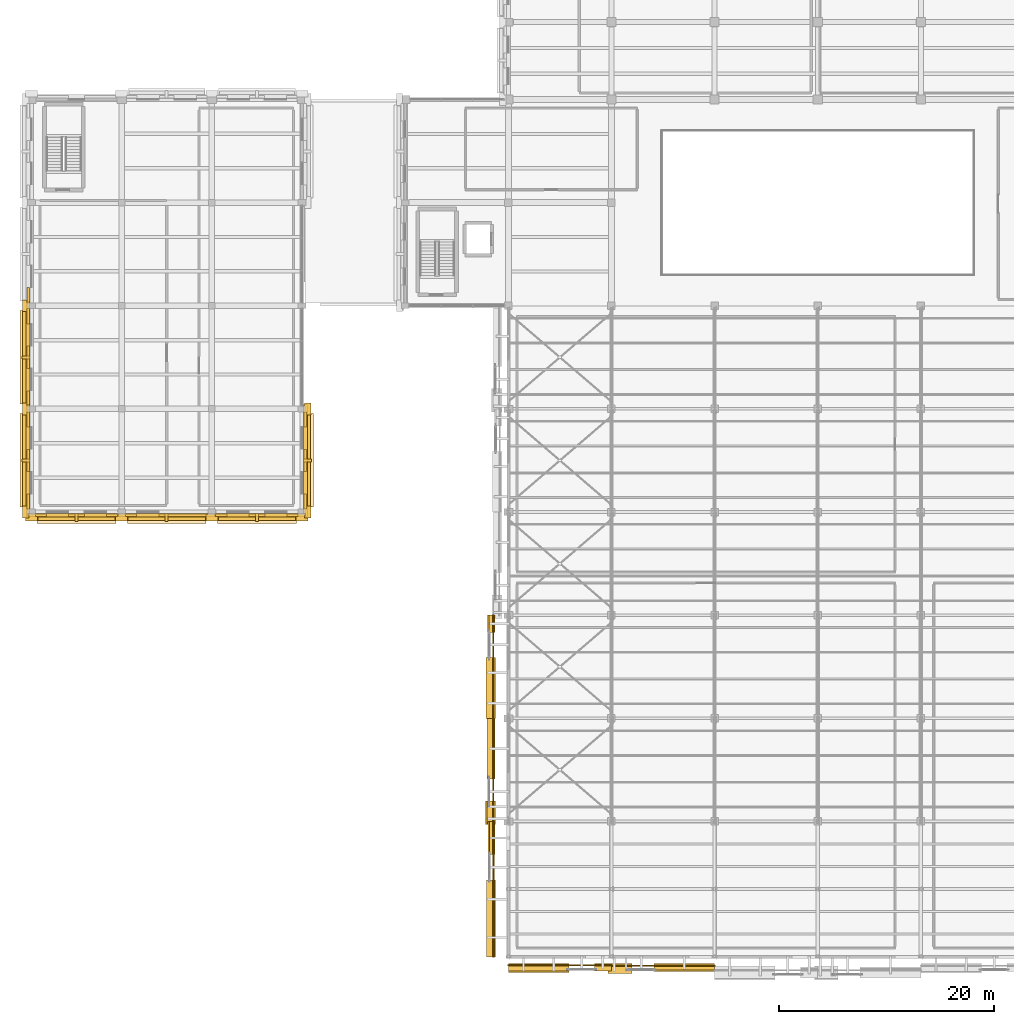
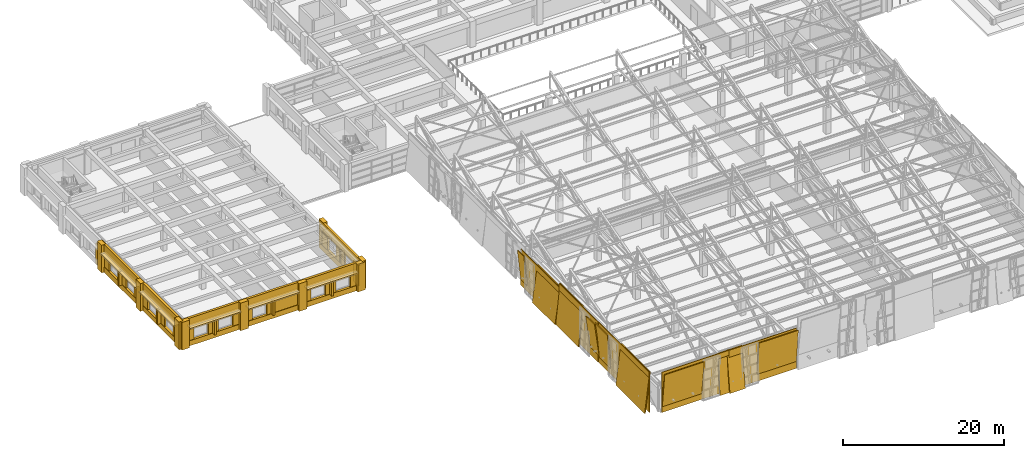
# One storey, part 64 of 71: 66 coverings, 6 shading devices.
"""IFC4 building model written with IfcOpenShell, lengths in metres."""

from ifc_helpers import new_model, si_unit, direction, frame, origin, origin_2d, place, context, subcontext, project, spatial, rectangle, extrude, material, layer, layer_set, type_object, element, save


model = new_model("IFC4")

# Units and contexts
model_context = context("Model", 3, precision=1e-05, world=origin(), true_north=direction((0.0, 1.0)))
body_context = subcontext(model_context, "Body", "Model", "MODEL_VIEW")
ifc_project = project(units=[si_unit("LENGTHUNIT", "METRE"), si_unit("AREAUNIT", "SQUARE_METRE"), si_unit("VOLUMEUNIT", "CUBIC_METRE"), si_unit("PLANEANGLEUNIT", "RADIAN"), si_unit("MASSUNIT", "GRAM", prefix="KILO")], contexts=[model_context])

# Site, building, storey
site_placement = place(None, origin())
site = spatial("IfcSite", under=ifc_project, at=site_placement, CompositionType="ELEMENT")
building_placement = place(site_placement, origin())
building = spatial("IfcBuilding", under=site, at=building_placement, Name="Bempovik Park Faculty of Sciences", CompositionType="ELEMENT")
storey_placement = place(building_placement, frame((0.0, 0.0, 14.10009765625)))
storey = spatial("IfcBuildingStorey", under=building, at=storey_placement, Name="L03", CompositionType="ELEMENT", Elevation=14.10009765625)

# Coverings
ifc_material_1 = material(Name="White reconstituted limestone precast C40/50", Category="masonry")
ifc_layer_1 = layer(ifc_material_1, 0.1201171875)
ifc_layer_set_1 = layer_set([ifc_layer_1], Name="White reconstituted limestone precast C40/50")
covering_type_1 = type_object("IfcCoveringType", Name="CL-01 Crystal Limestone Facet 120mm", PredefinedType="CLADDING", material=ifc_layer_set_1)
covering_1_placement = place(storey_placement, frame((64.800048828125, 6.3994140625, -0.0400390625), z_axis=(0.0, 0.0, 1.0), x_axis=(1.0, 0.0, 0.0)))
element("IfcCovering", 1, at=covering_1_placement, inside=storey, type_object=covering_type_1, Name="L03 White Crystal Seam Backing 72-600", PredefinedType="CLADDING", context=body_context, shape_type="SweptSolid", body=[
    extrude(rectangle(XDim=9.679931640625, YDim=0.10009765625, at=origin_2d()), origin(), (0.0, 0.0, 1.0), 6.090087890625),
])
covering_2_placement = place(storey_placement, frame((62.822509765625, 6.52001953125, -0.018798828125), z_axis=(0.0, -0.118403968307, 0.992965508107), x_axis=(1.0, 0.0, 0.0)))
element("IfcCovering", 2, at=covering_2_placement, inside=storey, type_object=covering_type_1, Name="L03 Tilted Crystal Limestone Facet FAC-CRYS-L03-72-600", PredefinedType="CLADDING", context=body_context, shape_type="SweptSolid", body=[
    extrude(rectangle(XDim=5.64501953125, YDim=0.139892578125, at=origin_2d()), origin(), (0.0, 0.0, 1.0), 6.090087890625),
])
covering_3_placement = place(storey_placement, frame((68.802490234375, 5.94873046875, -0.028076171875), z_axis=(0.0, 0.088894296866, 0.996041065411), x_axis=(1.0, 0.0, 0.0)))
element("IfcCovering", 3, at=covering_3_placement, inside=storey, type_object=covering_type_1, Name="L03 Counter-Tilted Crystal Facet FAC-CRYS-L03-72-600-R", PredefinedType="CLADDING", context=body_context, shape_type="SweptSolid", body=[
    extrude(rectangle(XDim=1.594970703125, YDim=0.139892578125, at=origin_2d()), origin(), (0.0, 0.0, 1.0), 6.090087890625),
])
covering_4_placement = place(storey_placement, frame((74.39990234375, 6.357421875, -0.0400390625), z_axis=(0.0, 0.0, 1.0), x_axis=(1.0, 0.0, 0.0)))
element("IfcCovering", 4, at=covering_4_placement, inside=storey, type_object=covering_type_1, Name="L03 White Crystal Seam Backing 72-696", PredefinedType="CLADDING", context=body_context, shape_type="SweptSolid", body=[
    extrude(rectangle(XDim=9.679931640625, YDim=0.10009765625, at=origin_2d()), origin(), (0.0, 0.0, 1.0), 6.090087890625),
])
covering_5_placement = place(storey_placement, frame((70.3974609375, 5.71435546875, -0.013427734375), z_axis=(0.0, 0.132256390257, 0.991215540252), x_axis=(1.0, 0.0, 0.0)))
element("IfcCovering", 5, at=covering_5_placement, inside=storey, type_object=covering_type_1, Name="L03 Tilted Crystal Limestone Facet FAC-CRYS-L03-72-696", PredefinedType="CLADDING", context=body_context, shape_type="SweptSolid", body=[
    extrude(rectangle(XDim=2.199951171875, YDim=0.139892578125, at=origin_2d()), origin(), (0.0, 0.0, 1.0), 6.090087890625),
])
covering_6_placement = place(storey_placement, frame((76.37744140625, 6.479736328125, -0.025146484375), z_axis=(0.0, -0.099319749744, 0.995055569961), x_axis=(1.0, 0.0, 0.0)))
element("IfcCovering", 6, at=covering_6_placement, inside=storey, type_object=covering_type_1, Name="L03 Counter-Tilted Crystal Facet FAC-CRYS-L03-72-696-R", PredefinedType="CLADDING", context=body_context, shape_type="SweptSolid", body=[
    extrude(rectangle(XDim=5.64501953125, YDim=0.139892578125, at=origin_2d()), origin(), (0.0, 0.0, 1.0), 6.090087890625),
])
covering_7_placement = place(storey_placement, frame((58.619384765625, 13.5, -0.0400390625), z_axis=(0.0, 0.0, 1.0), x_axis=(1.0, 0.0, 0.0)))
element("IfcCovering", 7, at=covering_7_placement, inside=storey, type_object=covering_type_1, Name="L03 White Crystal Seam Backing 600-72", PredefinedType="CLADDING", context=body_context, shape_type="SweptSolid", body=[
    extrude(rectangle(XDim=0.10009765625, YDim=12.679931640625, at=origin_2d()), origin(), (0.0, 0.0, 1.0), 6.090087890625),
])
covering_8_placement = place(storey_placement, frame((58.018798828125, 10.7724609375, -0.018798828125), z_axis=(0.118403968307, 0.0, 0.992965508107), x_axis=(0.0, 1.0, 0.0)))
element("IfcCovering", 8, at=covering_8_placement, inside=storey, type_object=covering_type_1, Name="L03 Tilted Crystal Limestone Facet FAC-CRYS-L03-600-72", PredefinedType="CLADDING", context=body_context, shape_type="SweptSolid", body=[
    extrude(rectangle(XDim=7.14501953125, YDim=0.139892578125, at=origin_2d()), origin(), (0.0, 0.0, 1.0), 6.090087890625),
])
covering_9_placement = place(storey_placement, frame((58.710205078125, 18.25244140625, -0.028076171875), z_axis=(-0.088894296866, 0.0, 0.996041065411), x_axis=(0.0, 1.0, 0.0)))
element("IfcCovering", 9, at=covering_9_placement, inside=storey, type_object=covering_type_1, Name="L03 Counter-Tilted Crystal Facet FAC-CRYS-L03-600-72-R", PredefinedType="CLADDING", context=body_context, shape_type="SweptSolid", body=[
    extrude(rectangle(XDim=3.094970703125, YDim=0.139892578125, at=origin_2d()), origin(), (0.0, 0.0, 1.0), 6.090087890625),
])
covering_10_placement = place(storey_placement, frame((58.577392578125, 24.60009765625, -0.0400390625), z_axis=(0.0, 0.0, 1.0), x_axis=(1.0, 0.0, 0.0)))
element("IfcCovering", 10, at=covering_10_placement, inside=storey, type_object=covering_type_1, Name="L03 White Crystal Seam Backing 600-198", PredefinedType="CLADDING", context=body_context, shape_type="SweptSolid", body=[
    extrude(rectangle(XDim=0.10009765625, YDim=9.679931640625, at=origin_2d()), origin(), (0.0, 0.0, 1.0), 6.090087890625),
])
covering_11_placement = place(storey_placement, frame((58.740234375, 20.597412109375, -0.013427734375), z_axis=(-0.132256390257, 0.0, 0.991215540252), x_axis=(0.0, 1.0, 0.0)))
element("IfcCovering", 11, at=covering_11_placement, inside=storey, type_object=covering_type_1, Name="L03 Tilted Crystal Limestone Facet FAC-CRYS-L03-600-198", PredefinedType="CLADDING", context=body_context, shape_type="SweptSolid", body=[
    extrude(rectangle(XDim=2.199951171875, YDim=0.139892578125, at=origin_2d()), origin(), (0.0, 0.0, 1.0), 6.090087890625),
])
covering_12_placement = place(storey_placement, frame((58.0947265625, 26.577392578125, -0.025146484375), z_axis=(0.099319749744, 0.0, 0.995055569961), x_axis=(0.0, 1.0, 0.0)))
element("IfcCovering", 12, at=covering_12_placement, inside=storey, type_object=covering_type_1, Name="L03 Counter-Tilted Crystal Facet FAC-CRYS-L03-600-198-R", PredefinedType="CLADDING", context=body_context, shape_type="SweptSolid", body=[
    extrude(rectangle(XDim=5.64501953125, YDim=0.139892578125, at=origin_2d()), origin(), (0.0, 0.0, 1.0), 6.090087890625),
])
covering_13_placement = place(storey_placement, frame((58.597900390625, 34.199951171875, -0.0400390625), z_axis=(0.0, 0.0, 1.0), x_axis=(1.0, 0.0, 0.0)))
element("IfcCovering", 13, at=covering_13_placement, inside=storey, type_object=covering_type_1, Name="L03 White Crystal Seam Backing 600-294", PredefinedType="CLADDING", context=body_context, shape_type="SweptSolid", body=[
    extrude(rectangle(XDim=0.10009765625, YDim=9.679931640625, at=origin_2d()), origin(), (0.0, 0.0, 1.0), 5.489990234375),
])
covering_14_placement = place(storey_placement, frame((57.975830078125, 32.222412109375, -0.013427734375), z_axis=(0.13917310096, 0.0, 0.990268068742), x_axis=(0.0, 1.0, 0.0)))
element("IfcCovering", 14, at=covering_14_placement, inside=storey, type_object=covering_type_1, Name="L03 Tilted Crystal Limestone Facet FAC-CRYS-L03-600-294", PredefinedType="CLADDING", context=body_context, shape_type="SweptSolid", body=[
    extrude(rectangle(XDim=5.64501953125, YDim=0.139892578125, at=origin_2d()), origin(), (0.0, 0.0, 1.0), 5.489990234375),
])
covering_15_placement = place(storey_placement, frame((58.704833984375, 38.202392578125, -0.025146484375), z_axis=(-0.104528463268, 0.0, 0.994521895368), x_axis=(0.0, 1.0, 0.0)))
element("IfcCovering", 15, at=covering_15_placement, inside=storey, type_object=covering_type_1, Name="L03 Counter-Tilted Crystal Facet FAC-CRYS-L03-600-294-R", PredefinedType="CLADDING", context=body_context, shape_type="SweptSolid", body=[
    extrude(rectangle(XDim=1.594970703125, YDim=0.139892578125, at=origin_2d()), origin(), (0.0, 0.0, 1.0), 5.489990234375),
])
ifc_material_2 = material(Name="Precast concrete C40/50", Category="concrete")
ifc_layer_2 = layer(ifc_material_2, 0.179931640625)
ifc_layer_set_2 = layer_set([ifc_layer_2], Name="Precast concrete C40/50")
covering_type_2 = type_object("IfcCoveringType", Name="CL-02 Classical Cornice Band 180mm", PredefinedType="CLADDING", material=ifc_layer_set_2)
covering_16_placement = place(storey_placement, frame((41.39990234375, 53.39990234375, 2.85986328125), z_axis=(0.0, 0.0, 1.0), x_axis=(1.0, 0.0, 0.0)))
element("IfcCovering", 16, at=covering_16_placement, inside=storey, type_object=covering_type_2, Name="L03 Classical Stone Solar Window Hood EW-L03-9157", PredefinedType="CLADDING", context=body_context, shape_type="SweptSolid", body=[
    extrude(rectangle(XDim=0.919921875, YDim=8.7060546875, at=origin_2d()), origin(), (0.0, 0.0, 1.0), 0.219970703125),
])
for number, where, z_axis, x_axis, name in (
    (17, (19.800048828125, 48.0, 2.85986328125), (0.0, 0.0, 1.0), (1.0, 0.0, 0.0), "L03 Classical Stone Solar Window Hood EW-L03-9219"),
    (18, (28.199951171875, 48.0, 2.85986328125), (0.0, 0.0, 1.0), (1.0, 0.0, 0.0), "L03 Classical Stone Solar Window Hood EW-L03-9232"),
    (19, (36.60009765625, 48.0, 2.85986328125), (0.0, 0.0, 1.0), (1.0, 0.0, 0.0), "L03 Classical Stone Solar Window Hood EW-L03-9242"),
):
    element("IfcCovering", number, at=place(storey_placement, frame(where, z_axis=z_axis, x_axis=x_axis)), inside=storey, type_object=covering_type_2, Name=name, PredefinedType="CLADDING", context=body_context, shape_type="SweptSolid", body=[
        extrude(rectangle(XDim=7.325927734375, YDim=0.919921875, at=origin_2d()), origin(), (0.0, 0.0, 1.0), 0.219970703125),
    ])
for number, where, z_axis, x_axis, name in (
    (20, (15.0, 53.39990234375, 2.85986328125), (0.0, 0.0, 1.0), (1.0, 0.0, 0.0), "L03 Classical Stone Solar Window Hood EW-L03-9254"),
    (21, (15.0, 63.0, 2.85986328125), (0.0, 0.0, 1.0), (1.0, 0.0, 0.0), "L03 Classical Stone Solar Window Hood EW-L03-9267"),
):
    element("IfcCovering", number, at=place(storey_placement, frame(where, z_axis=z_axis, x_axis=x_axis)), inside=storey, type_object=covering_type_2, Name=name, PredefinedType="CLADDING", context=body_context, shape_type="SweptSolid", body=[
        extrude(rectangle(XDim=0.919921875, YDim=8.7060546875, at=origin_2d()), origin(), (0.0, 0.0, 1.0), 0.219970703125),
    ])
ifc_layer_3 = layer(ifc_material_1, 0.239990234375)
ifc_layer_set_3 = layer_set([ifc_layer_3], Name="White reconstituted limestone precast C40/50")
covering_type_3 = type_object("IfcCoveringType", Name="CL-03 Classical Fluted Limestone Pilaster 240mm", PredefinedType="CLADDING", material=ifc_layer_set_3)
covering_17_placement = place(storey_placement, frame((41.110107421875, 53.39990234375, 2.919921875), z_axis=(0.0, 0.0, 1.0), x_axis=(1.0, 0.0, 0.0)))
element("IfcCovering", 22, at=covering_17_placement, inside=storey, type_object=covering_type_3, Name="L03 Classical Limestone Spandrel Entablature EW-L03-9157", PredefinedType="CLADDING", context=body_context, shape_type="SweptSolid", body=[
    extrude(rectangle(XDim=0.340087890625, YDim=10.406005859375, at=origin_2d()), origin(), (0.0, 0.0, 1.0), 1.280029296875),
])
covering_18_placement = place(storey_placement, frame((41.110107421875, 53.39990234375, 0.0), z_axis=(0.0, 0.0, 1.0), x_axis=(1.0, 0.0, 0.0)))
element("IfcCovering", 23, at=covering_18_placement, inside=storey, type_object=covering_type_3, Name="L03 Classical Limestone Sill Dado EW-L03-9157", PredefinedType="CLADDING", context=body_context, shape_type="SweptSolid", body=[
    extrude(rectangle(XDim=0.340087890625, YDim=10.406005859375, at=origin_2d()), origin(), (0.0, 0.0, 1.0), 0.780029296875),
])
for number, where, z_axis, x_axis, name in (
    (24, (41.330078125, 48.60009765625, 0.0), (0.0, 0.0, 1.0), (1.0, 0.0, 0.0), "L03 Classical Fluted Stone Pilaster PIL-BA-L03-413-486"),
    (25, (41.330078125, 58.199951171875, 0.0), (0.0, 0.0, 1.0), (1.0, 0.0, 0.0), "L03 Classical Fluted Stone Pilaster PIL-BA-L03-413-582"),
):
    element("IfcCovering", number, at=place(storey_placement, frame(where, z_axis=z_axis, x_axis=x_axis)), inside=storey, type_object=covering_type_3, Name=name, PredefinedType="CLADDING", context=body_context, shape_type="SweptSolid", body=[
        extrude(rectangle(XDim=0.580078125, YDim=1.10009765625, at=origin_2d()), origin(), (0.0, 0.0, 1.0), 4.199951171875),
    ])
covering_19_placement = place(storey_placement, frame((41.10009765625, 49.57470703125, -0.000244140625), z_axis=(0.0, 0.0, 1.0), x_axis=(1.0, 0.0, 0.0)))
element("IfcCovering", 26, at=covering_19_placement, inside=storey, type_object=covering_type_3, Name="L03 White Limestone Wall Cheek EW-L03-9157-0", PredefinedType="CLADDING", context=body_context, shape_type="SweptSolid", body=[
    extrude(rectangle(XDim=0.239990234375, YDim=1.405029296875, at=origin_2d()), origin(), (0.0, 0.0, 1.0), 3.080078125),
])
covering_20_placement = place(storey_placement, frame((41.10009765625, 53.39990234375, -0.000244140625), z_axis=(0.0, 0.0, 1.0), x_axis=(1.0, 0.0, 0.0)))
element("IfcCovering", 27, at=covering_20_placement, inside=storey, type_object=covering_type_3, Name="L03 White Limestone Wall Cheek EW-L03-9157-2", PredefinedType="CLADDING", context=body_context, shape_type="SweptSolid", body=[
    extrude(rectangle(XDim=0.239990234375, YDim=2.085693359375, at=origin_2d()), origin(), (0.0, 0.0, 1.0), 3.080078125),
])
covering_21_placement = place(storey_placement, frame((41.10009765625, 57.225341796875, -0.000244140625), z_axis=(0.0, 0.0, 1.0), x_axis=(1.0, 0.0, 0.0)))
element("IfcCovering", 28, at=covering_21_placement, inside=storey, type_object=covering_type_3, Name="L03 White Limestone Wall Cheek EW-L03-9157-4", PredefinedType="CLADDING", context=body_context, shape_type="SweptSolid", body=[
    extrude(rectangle(XDim=0.239990234375, YDim=1.405029296875, at=origin_2d()), origin(), (0.0, 0.0, 1.0), 3.080078125),
])
covering_22_placement = place(storey_placement, frame((41.31005859375, 53.39990234375, 0.69970703125), z_axis=(0.0, 0.0, 1.0), x_axis=(1.0, 0.0, 0.0)))
element("IfcCovering", 29, at=covering_22_placement, inside=storey, type_object=covering_type_3, Name="L03 Classical Vertical Stone Shading Fin EW-L03-9157", PredefinedType="CLADDING", context=body_context, shape_type="SweptSolid", body=[
    extrude(rectangle(XDim=0.719970703125, YDim=0.280029296875, at=origin_2d()), origin(), (0.0, 0.0, 1.0), 2.199951171875),
])
covering_23_placement = place(storey_placement, frame((19.800048828125, 48.2900390625, 2.919921875), z_axis=(0.0, 0.0, 1.0), x_axis=(1.0, 0.0, 0.0)))
element("IfcCovering", 30, at=covering_23_placement, inside=storey, type_object=covering_type_3, Name="L03 Classical Limestone Spandrel Entablature EW-L03-9219", PredefinedType="CLADDING", context=body_context, shape_type="SweptSolid", body=[
    extrude(rectangle(XDim=9.02587890625, YDim=0.340087890625, at=origin_2d()), origin(), (0.0, 0.0, 1.0), 1.280029296875),
])
covering_24_placement = place(storey_placement, frame((19.800048828125, 48.2900390625, 0.0), z_axis=(0.0, 0.0, 1.0), x_axis=(1.0, 0.0, 0.0)))
element("IfcCovering", 31, at=covering_24_placement, inside=storey, type_object=covering_type_3, Name="L03 Classical Limestone Sill Dado EW-L03-9219", PredefinedType="CLADDING", context=body_context, shape_type="SweptSolid", body=[
    extrude(rectangle(XDim=9.02587890625, YDim=0.340087890625, at=origin_2d()), origin(), (0.0, 0.0, 1.0), 0.780029296875),
])
for number, where, z_axis, x_axis, name in (
    (32, (15.60009765625, 48.070068359375, 0.0), (0.0, 0.0, 1.0), (1.0, 0.0, 0.0), "L03 Classical Fluted Stone Pilaster PIL-BA-L03-156-481"),
    (33, (24.0, 48.070068359375, 0.0), (0.0, 0.0, 1.0), (1.0, 0.0, 0.0), "L03 Classical Fluted Stone Pilaster PIL-BA-L03-240-481"),
):
    element("IfcCovering", number, at=place(storey_placement, frame(where, z_axis=z_axis, x_axis=x_axis)), inside=storey, type_object=covering_type_3, Name=name, PredefinedType="CLADDING", context=body_context, shape_type="SweptSolid", body=[
        extrude(rectangle(XDim=1.10009765625, YDim=0.580078125, at=origin_2d()), origin(), (0.0, 0.0, 1.0), 4.199951171875),
    ])
covering_25_placement = place(storey_placement, frame((16.478271484375, 48.300048828125, -0.000244140625), z_axis=(0.0, 0.0, 1.0), x_axis=(1.0, 0.0, 0.0)))
element("IfcCovering", 34, at=covering_25_placement, inside=storey, type_object=covering_type_3, Name="L03 White Limestone Wall Cheek EW-L03-9219-0", PredefinedType="CLADDING", context=body_context, shape_type="SweptSolid", body=[
    extrude(rectangle(XDim=1.032470703125, YDim=0.239990234375, at=origin_2d()), origin(), (0.0, 0.0, 1.0), 3.080078125),
])
covering_26_placement = place(storey_placement, frame((19.800048828125, 48.300048828125, -0.000244140625), z_axis=(0.0, 0.0, 1.0), x_axis=(1.0, 0.0, 0.0)))
element("IfcCovering", 35, at=covering_26_placement, inside=storey, type_object=covering_type_3, Name="L03 White Limestone Wall Cheek EW-L03-9219-2", PredefinedType="CLADDING", context=body_context, shape_type="SweptSolid", body=[
    extrude(rectangle(XDim=1.450927734375, YDim=0.239990234375, at=origin_2d()), origin(), (0.0, 0.0, 1.0), 3.080078125),
])
covering_27_placement = place(storey_placement, frame((23.12158203125, 48.300048828125, -0.000244140625), z_axis=(0.0, 0.0, 1.0), x_axis=(1.0, 0.0, 0.0)))
element("IfcCovering", 36, at=covering_27_placement, inside=storey, type_object=covering_type_3, Name="L03 White Limestone Wall Cheek EW-L03-9219-4", PredefinedType="CLADDING", context=body_context, shape_type="SweptSolid", body=[
    extrude(rectangle(XDim=1.032470703125, YDim=0.239990234375, at=origin_2d()), origin(), (0.0, 0.0, 1.0), 3.080078125),
])
covering_28_placement = place(storey_placement, frame((19.800048828125, 48.090087890625, 0.69970703125), z_axis=(0.0, 0.0, 1.0), x_axis=(1.0, 0.0, 0.0)))
element("IfcCovering", 37, at=covering_28_placement, inside=storey, type_object=covering_type_3, Name="L03 Classical Vertical Stone Shading Fin EW-L03-9219", PredefinedType="CLADDING", context=body_context, shape_type="SweptSolid", body=[
    extrude(rectangle(XDim=0.280029296875, YDim=0.719970703125, at=origin_2d()), origin(), (0.0, 0.0, 1.0), 2.199951171875),
])
covering_29_placement = place(storey_placement, frame((28.199951171875, 48.2900390625, 2.919921875), z_axis=(0.0, 0.0, 1.0), x_axis=(1.0, 0.0, 0.0)))
element("IfcCovering", 38, at=covering_29_placement, inside=storey, type_object=covering_type_3, Name="L03 Classical Limestone Spandrel Entablature EW-L03-9232", PredefinedType="CLADDING", context=body_context, shape_type="SweptSolid", body=[
    extrude(rectangle(XDim=9.02587890625, YDim=0.340087890625, at=origin_2d()), origin(), (0.0, 0.0, 1.0), 1.280029296875),
])
covering_30_placement = place(storey_placement, frame((28.199951171875, 48.2900390625, 0.0), z_axis=(0.0, 0.0, 1.0), x_axis=(1.0, 0.0, 0.0)))
element("IfcCovering", 39, at=covering_30_placement, inside=storey, type_object=covering_type_3, Name="L03 Classical Limestone Sill Dado EW-L03-9232", PredefinedType="CLADDING", context=body_context, shape_type="SweptSolid", body=[
    extrude(rectangle(XDim=9.02587890625, YDim=0.340087890625, at=origin_2d()), origin(), (0.0, 0.0, 1.0), 0.780029296875),
])
covering_31_placement = place(storey_placement, frame((32.39990234375, 48.070068359375, 0.0), z_axis=(0.0, 0.0, 1.0), x_axis=(1.0, 0.0, 0.0)))
element("IfcCovering", 40, at=covering_31_placement, inside=storey, type_object=covering_type_3, Name="L03 Classical Fluted Stone Pilaster PIL-BA-L03-324-481", PredefinedType="CLADDING", context=body_context, shape_type="SweptSolid", body=[
    extrude(rectangle(XDim=1.10009765625, YDim=0.580078125, at=origin_2d()), origin(), (0.0, 0.0, 1.0), 4.199951171875),
])
covering_32_placement = place(storey_placement, frame((24.878173828125, 48.300048828125, -0.000244140625), z_axis=(0.0, 0.0, 1.0), x_axis=(1.0, 0.0, 0.0)))
element("IfcCovering", 41, at=covering_32_placement, inside=storey, type_object=covering_type_3, Name="L03 White Limestone Wall Cheek EW-L03-9232-0", PredefinedType="CLADDING", context=body_context, shape_type="SweptSolid", body=[
    extrude(rectangle(XDim=1.032470703125, YDim=0.239990234375, at=origin_2d()), origin(), (0.0, 0.0, 1.0), 3.080078125),
])
covering_33_placement = place(storey_placement, frame((29.756103515625, 48.300048828125, -0.000244140625), z_axis=(0.0, 0.0, 1.0), x_axis=(1.0, 0.0, 0.0)))
element("IfcCovering", 42, at=covering_33_placement, inside=storey, type_object=covering_type_3, Name="L03 White Limestone Wall Cheek EW-L03-9232-2", PredefinedType="CLADDING", context=body_context, shape_type="SweptSolid", body=[
    extrude(rectangle(XDim=4.5634765625, YDim=0.239990234375, at=origin_2d()), origin(), (0.0, 0.0, 1.0), 3.080078125),
])
covering_34_placement = place(storey_placement, frame((28.199951171875, 48.090087890625, 0.69970703125), z_axis=(0.0, 0.0, 1.0), x_axis=(1.0, 0.0, 0.0)))
element("IfcCovering", 43, at=covering_34_placement, inside=storey, type_object=covering_type_3, Name="L03 Classical Vertical Stone Shading Fin EW-L03-9232", PredefinedType="CLADDING", context=body_context, shape_type="SweptSolid", body=[
    extrude(rectangle(XDim=0.280029296875, YDim=0.719970703125, at=origin_2d()), origin(), (0.0, 0.0, 1.0), 2.199951171875),
])
covering_35_placement = place(storey_placement, frame((36.60009765625, 48.2900390625, 2.919921875), z_axis=(0.0, 0.0, 1.0), x_axis=(1.0, 0.0, 0.0)))
element("IfcCovering", 44, at=covering_35_placement, inside=storey, type_object=covering_type_3, Name="L03 Classical Limestone Spandrel Entablature EW-L03-9242", PredefinedType="CLADDING", context=body_context, shape_type="SweptSolid", body=[
    extrude(rectangle(XDim=9.02587890625, YDim=0.340087890625, at=origin_2d()), origin(), (0.0, 0.0, 1.0), 1.280029296875),
])
covering_36_placement = place(storey_placement, frame((36.60009765625, 48.2900390625, 0.0), z_axis=(0.0, 0.0, 1.0), x_axis=(1.0, 0.0, 0.0)))
element("IfcCovering", 45, at=covering_36_placement, inside=storey, type_object=covering_type_3, Name="L03 Classical Limestone Sill Dado EW-L03-9242", PredefinedType="CLADDING", context=body_context, shape_type="SweptSolid", body=[
    extrude(rectangle(XDim=9.02587890625, YDim=0.340087890625, at=origin_2d()), origin(), (0.0, 0.0, 1.0), 0.780029296875),
])
covering_37_placement = place(storey_placement, frame((40.800048828125, 48.070068359375, 0.0), z_axis=(0.0, 0.0, 1.0), x_axis=(1.0, 0.0, 0.0)))
element("IfcCovering", 46, at=covering_37_placement, inside=storey, type_object=covering_type_3, Name="L03 Classical Fluted Stone Pilaster PIL-BA-L03-408-481", PredefinedType="CLADDING", context=body_context, shape_type="SweptSolid", body=[
    extrude(rectangle(XDim=1.10009765625, YDim=0.580078125, at=origin_2d()), origin(), (0.0, 0.0, 1.0), 4.199951171875),
])
covering_38_placement = place(storey_placement, frame((33.2783203125, 48.300048828125, -0.000244140625), z_axis=(0.0, 0.0, 1.0), x_axis=(1.0, 0.0, 0.0)))
element("IfcCovering", 47, at=covering_38_placement, inside=storey, type_object=covering_type_3, Name="L03 White Limestone Wall Cheek EW-L03-9242-0", PredefinedType="CLADDING", context=body_context, shape_type="SweptSolid", body=[
    extrude(rectangle(XDim=1.032470703125, YDim=0.239990234375, at=origin_2d()), origin(), (0.0, 0.0, 1.0), 3.080078125),
])
covering_39_placement = place(storey_placement, frame((36.60009765625, 48.300048828125, -0.000244140625), z_axis=(0.0, 0.0, 1.0), x_axis=(1.0, 0.0, 0.0)))
element("IfcCovering", 48, at=covering_39_placement, inside=storey, type_object=covering_type_3, Name="L03 White Limestone Wall Cheek EW-L03-9242-2", PredefinedType="CLADDING", context=body_context, shape_type="SweptSolid", body=[
    extrude(rectangle(XDim=1.450927734375, YDim=0.239990234375, at=origin_2d()), origin(), (0.0, 0.0, 1.0), 3.080078125),
])
covering_40_placement = place(storey_placement, frame((39.921875, 48.300048828125, -0.000244140625), z_axis=(0.0, 0.0, 1.0), x_axis=(1.0, 0.0, 0.0)))
element("IfcCovering", 49, at=covering_40_placement, inside=storey, type_object=covering_type_3, Name="L03 White Limestone Wall Cheek EW-L03-9242-4", PredefinedType="CLADDING", context=body_context, shape_type="SweptSolid", body=[
    extrude(rectangle(XDim=1.032470703125, YDim=0.239990234375, at=origin_2d()), origin(), (0.0, 0.0, 1.0), 3.080078125),
])
covering_41_placement = place(storey_placement, frame((36.60009765625, 48.090087890625, 0.69970703125), z_axis=(0.0, 0.0, 1.0), x_axis=(1.0, 0.0, 0.0)))
element("IfcCovering", 50, at=covering_41_placement, inside=storey, type_object=covering_type_3, Name="L03 Classical Vertical Stone Shading Fin EW-L03-9242", PredefinedType="CLADDING", context=body_context, shape_type="SweptSolid", body=[
    extrude(rectangle(XDim=0.280029296875, YDim=0.719970703125, at=origin_2d()), origin(), (0.0, 0.0, 1.0), 2.199951171875),
])
covering_42_placement = place(storey_placement, frame((15.2900390625, 53.39990234375, 2.919921875), z_axis=(0.0, 0.0, 1.0), x_axis=(1.0, 0.0, 0.0)))
element("IfcCovering", 51, at=covering_42_placement, inside=storey, type_object=covering_type_3, Name="L03 Classical Limestone Spandrel Entablature EW-L03-9254", PredefinedType="CLADDING", context=body_context, shape_type="SweptSolid", body=[
    extrude(rectangle(XDim=0.340087890625, YDim=10.406005859375, at=origin_2d()), origin(), (0.0, 0.0, 1.0), 1.280029296875),
])
covering_43_placement = place(storey_placement, frame((15.2900390625, 53.39990234375, 0.0), z_axis=(0.0, 0.0, 1.0), x_axis=(1.0, 0.0, 0.0)))
element("IfcCovering", 52, at=covering_43_placement, inside=storey, type_object=covering_type_3, Name="L03 Classical Limestone Sill Dado EW-L03-9254", PredefinedType="CLADDING", context=body_context, shape_type="SweptSolid", body=[
    extrude(rectangle(XDim=0.340087890625, YDim=10.406005859375, at=origin_2d()), origin(), (0.0, 0.0, 1.0), 0.780029296875),
])
for number, where, z_axis, x_axis, name in (
    (53, (15.070068359375, 48.60009765625, 0.0), (0.0, 0.0, 1.0), (1.0, 0.0, 0.0), "L03 Classical Fluted Stone Pilaster PIL-BA-L03-151-486"),
    (54, (15.070068359375, 58.199951171875, 0.0), (0.0, 0.0, 1.0), (1.0, 0.0, 0.0), "L03 Classical Fluted Stone Pilaster PIL-BA-L03-151-582"),
):
    element("IfcCovering", number, at=place(storey_placement, frame(where, z_axis=z_axis, x_axis=x_axis)), inside=storey, type_object=covering_type_3, Name=name, PredefinedType="CLADDING", context=body_context, shape_type="SweptSolid", body=[
        extrude(rectangle(XDim=0.580078125, YDim=1.10009765625, at=origin_2d()), origin(), (0.0, 0.0, 1.0), 4.199951171875),
    ])
covering_44_placement = place(storey_placement, frame((15.300048828125, 49.57470703125, -0.000244140625), z_axis=(0.0, 0.0, 1.0), x_axis=(1.0, 0.0, 0.0)))
element("IfcCovering", 55, at=covering_44_placement, inside=storey, type_object=covering_type_3, Name="L03 White Limestone Wall Cheek EW-L03-9254-0", PredefinedType="CLADDING", context=body_context, shape_type="SweptSolid", body=[
    extrude(rectangle(XDim=0.239990234375, YDim=1.405029296875, at=origin_2d()), origin(), (0.0, 0.0, 1.0), 3.080078125),
])
covering_45_placement = place(storey_placement, frame((15.300048828125, 53.39990234375, -0.000244140625), z_axis=(0.0, 0.0, 1.0), x_axis=(1.0, 0.0, 0.0)))
element("IfcCovering", 56, at=covering_45_placement, inside=storey, type_object=covering_type_3, Name="L03 White Limestone Wall Cheek EW-L03-9254-2", PredefinedType="CLADDING", context=body_context, shape_type="SweptSolid", body=[
    extrude(rectangle(XDim=0.239990234375, YDim=2.085693359375, at=origin_2d()), origin(), (0.0, 0.0, 1.0), 3.080078125),
])
covering_46_placement = place(storey_placement, frame((15.300048828125, 57.225341796875, -0.000244140625), z_axis=(0.0, 0.0, 1.0), x_axis=(1.0, 0.0, 0.0)))
element("IfcCovering", 57, at=covering_46_placement, inside=storey, type_object=covering_type_3, Name="L03 White Limestone Wall Cheek EW-L03-9254-4", PredefinedType="CLADDING", context=body_context, shape_type="SweptSolid", body=[
    extrude(rectangle(XDim=0.239990234375, YDim=1.405029296875, at=origin_2d()), origin(), (0.0, 0.0, 1.0), 3.080078125),
])
covering_47_placement = place(storey_placement, frame((15.090087890625, 53.39990234375, 0.69970703125), z_axis=(0.0, 0.0, 1.0), x_axis=(1.0, 0.0, 0.0)))
element("IfcCovering", 58, at=covering_47_placement, inside=storey, type_object=covering_type_3, Name="L03 Classical Vertical Stone Shading Fin EW-L03-9254", PredefinedType="CLADDING", context=body_context, shape_type="SweptSolid", body=[
    extrude(rectangle(XDim=0.719970703125, YDim=0.280029296875, at=origin_2d()), origin(), (0.0, 0.0, 1.0), 2.199951171875),
])
covering_48_placement = place(storey_placement, frame((15.2900390625, 63.0, 2.919921875), z_axis=(0.0, 0.0, 1.0), x_axis=(1.0, 0.0, 0.0)))
element("IfcCovering", 59, at=covering_48_placement, inside=storey, type_object=covering_type_3, Name="L03 Classical Limestone Spandrel Entablature EW-L03-9267", PredefinedType="CLADDING", context=body_context, shape_type="SweptSolid", body=[
    extrude(rectangle(XDim=0.340087890625, YDim=10.406005859375, at=origin_2d()), origin(), (0.0, 0.0, 1.0), 1.280029296875),
])
covering_49_placement = place(storey_placement, frame((15.2900390625, 63.0, 0.0), z_axis=(0.0, 0.0, 1.0), x_axis=(1.0, 0.0, 0.0)))
element("IfcCovering", 60, at=covering_49_placement, inside=storey, type_object=covering_type_3, Name="L03 Classical Limestone Sill Dado EW-L03-9267", PredefinedType="CLADDING", context=body_context, shape_type="SweptSolid", body=[
    extrude(rectangle(XDim=0.340087890625, YDim=10.406005859375, at=origin_2d()), origin(), (0.0, 0.0, 1.0), 0.780029296875),
])
covering_50_placement = place(storey_placement, frame((15.070068359375, 67.800048828125, 0.0), z_axis=(0.0, 0.0, 1.0), x_axis=(1.0, 0.0, 0.0)))
element("IfcCovering", 61, at=covering_50_placement, inside=storey, type_object=covering_type_3, Name="L03 Classical Fluted Stone Pilaster PIL-BA-L03-151-678", PredefinedType="CLADDING", context=body_context, shape_type="SweptSolid", body=[
    extrude(rectangle(XDim=0.580078125, YDim=1.10009765625, at=origin_2d()), origin(), (0.0, 0.0, 1.0), 4.199951171875),
])
covering_51_placement = place(storey_placement, frame((15.300048828125, 59.174560546875, -0.000244140625), z_axis=(0.0, 0.0, 1.0), x_axis=(1.0, 0.0, 0.0)))
element("IfcCovering", 62, at=covering_51_placement, inside=storey, type_object=covering_type_3, Name="L03 White Limestone Wall Cheek EW-L03-9267-0", PredefinedType="CLADDING", context=body_context, shape_type="SweptSolid", body=[
    extrude(rectangle(XDim=0.239990234375, YDim=1.405029296875, at=origin_2d()), origin(), (0.0, 0.0, 1.0), 3.080078125),
])
covering_52_placement = place(storey_placement, frame((15.300048828125, 63.0, -0.000244140625), z_axis=(0.0, 0.0, 1.0), x_axis=(1.0, 0.0, 0.0)))
element("IfcCovering", 63, at=covering_52_placement, inside=storey, type_object=covering_type_3, Name="L03 White Limestone Wall Cheek EW-L03-9267-2", PredefinedType="CLADDING", context=body_context, shape_type="SweptSolid", body=[
    extrude(rectangle(XDim=0.239990234375, YDim=2.085693359375, at=origin_2d()), origin(), (0.0, 0.0, 1.0), 3.080078125),
])
covering_53_placement = place(storey_placement, frame((15.300048828125, 66.825439453125, -0.000244140625), z_axis=(0.0, 0.0, 1.0), x_axis=(1.0, 0.0, 0.0)))
element("IfcCovering", 64, at=covering_53_placement, inside=storey, type_object=covering_type_3, Name="L03 White Limestone Wall Cheek EW-L03-9267-4", PredefinedType="CLADDING", context=body_context, shape_type="SweptSolid", body=[
    extrude(rectangle(XDim=0.239990234375, YDim=1.405029296875, at=origin_2d()), origin(), (0.0, 0.0, 1.0), 3.080078125),
])
covering_54_placement = place(storey_placement, frame((15.090087890625, 63.0, 0.69970703125), z_axis=(0.0, 0.0, 1.0), x_axis=(1.0, 0.0, 0.0)))
element("IfcCovering", 65, at=covering_54_placement, inside=storey, type_object=covering_type_3, Name="L03 Classical Vertical Stone Shading Fin EW-L03-9267", PredefinedType="CLADDING", context=body_context, shape_type="SweptSolid", body=[
    extrude(rectangle(XDim=0.719970703125, YDim=0.280029296875, at=origin_2d()), origin(), (0.0, 0.0, 1.0), 2.199951171875),
])
covering_55_placement = place(storey_placement, frame((15.300048828125, 68.774658203125, -0.000244140625), z_axis=(0.0, 0.0, 1.0), x_axis=(1.0, 0.0, 0.0)))
element("IfcCovering", 66, at=covering_55_placement, inside=storey, type_object=covering_type_3, Name="L03 White Limestone Wall Cheek EW-L03-9279-0", PredefinedType="CLADDING", context=body_context, shape_type="SweptSolid", body=[
    extrude(rectangle(XDim=0.239990234375, YDim=1.405029296875, at=origin_2d()), origin(), (0.0, 0.0, 1.0), 3.080078125),
])

# Shading devices
ifc_material_3 = material(Name="Anodised architectural bronze")
ifc_layer_4 = layer(ifc_material_3, 0.06005859375)
ifc_layer_set_4 = layer_set([ifc_layer_4], Name="Anodised architectural bronze")
shading_device_type = type_object("IfcShadingDeviceType", Name="SH-01 Bronze Brise-Soleil Fin", PredefinedType="USERDEFINED", material=ifc_layer_set_4)
shading_device_placement = place(storey_placement, frame((41.280029296875, 53.39990234375, 2.7998046875), z_axis=(0.0, 0.0, 1.0), x_axis=(1.0, 0.0, 0.0)))
element("IfcShadingDevice", 67, at=shading_device_placement, inside=storey, type_object=shading_device_type, Name="L03 Equatorial Bronze Brise-Soleil EW-L03-9157", ObjectType="BRISE SOLEIL", PredefinedType="USERDEFINED", context=body_context, shape_type="SweptSolid", body=[
    extrude(rectangle(XDim=0.64990234375, YDim=8.555908203125, at=origin_2d()), origin(), (0.0, 0.0, 1.0), 0.06005859375),
])
for number, where, z_axis, x_axis, name in (
    (68, (19.800048828125, 48.1201171875, 2.7998046875), (0.0, 0.0, 1.0), (1.0, 0.0, 0.0), "L03 Equatorial Bronze Brise-Soleil EW-L03-9219"),
    (69, (28.199951171875, 48.1201171875, 2.7998046875), (0.0, 0.0, 1.0), (1.0, 0.0, 0.0), "L03 Equatorial Bronze Brise-Soleil EW-L03-9232"),
    (70, (36.60009765625, 48.1201171875, 2.7998046875), (0.0, 0.0, 1.0), (1.0, 0.0, 0.0), "L03 Equatorial Bronze Brise-Soleil EW-L03-9242"),
):
    element("IfcShadingDevice", number, at=place(storey_placement, frame(where, z_axis=z_axis, x_axis=x_axis)), inside=storey, type_object=shading_device_type, Name=name, ObjectType="BRISE SOLEIL", PredefinedType="USERDEFINED", context=body_context, shape_type="SweptSolid", body=[
        extrude(rectangle(XDim=7.176025390625, YDim=0.64990234375, at=origin_2d()), origin(), (0.0, 0.0, 1.0), 0.06005859375),
    ])
for number, where, z_axis, x_axis, name in (
    (71, (15.1201171875, 53.39990234375, 2.7998046875), (0.0, 0.0, 1.0), (1.0, 0.0, 0.0), "L03 Equatorial Bronze Brise-Soleil EW-L03-9254"),
    (72, (15.1201171875, 63.0, 2.7998046875), (0.0, 0.0, 1.0), (1.0, 0.0, 0.0), "L03 Equatorial Bronze Brise-Soleil EW-L03-9267"),
):
    element("IfcShadingDevice", number, at=place(storey_placement, frame(where, z_axis=z_axis, x_axis=x_axis)), inside=storey, type_object=shading_device_type, Name=name, ObjectType="BRISE SOLEIL", PredefinedType="USERDEFINED", context=body_context, shape_type="SweptSolid", body=[
        extrude(rectangle(XDim=0.64990234375, YDim=8.555908203125, at=origin_2d()), origin(), (0.0, 0.0, 1.0), 0.06005859375),
    ])

save(model, "model.ifc")
